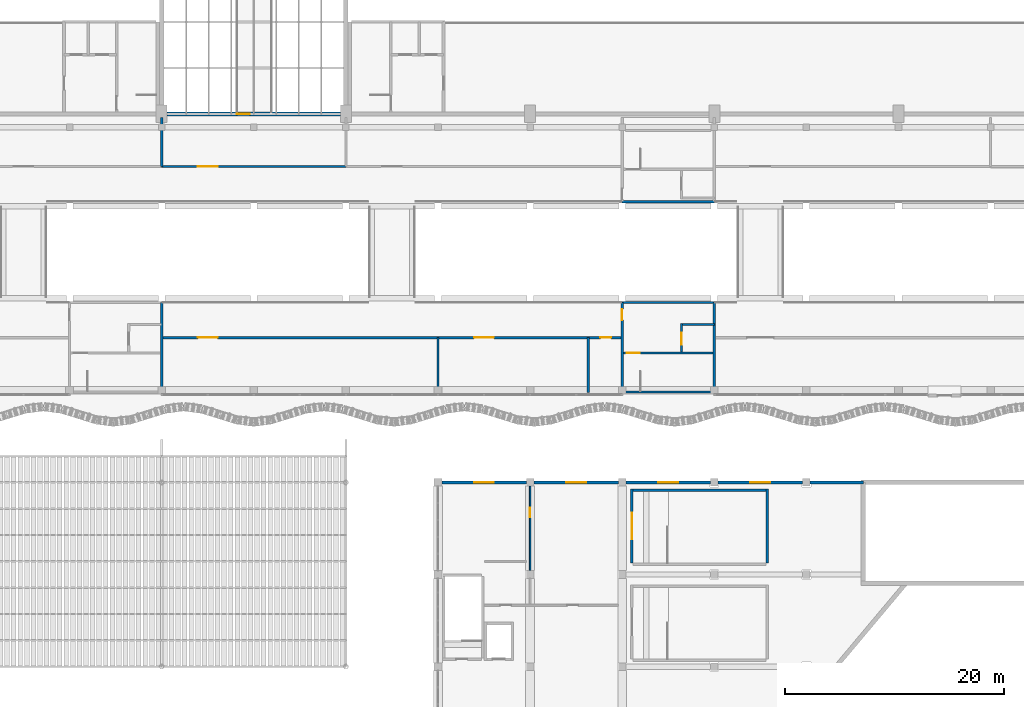
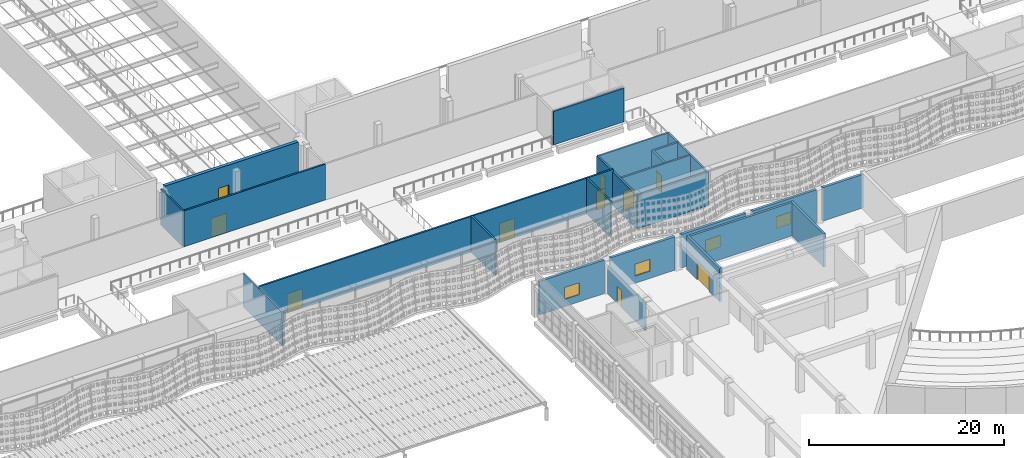
# One storey, part 87 of 162: 25 walls, 10 doors, 4 windows, 14 openings.
"""IFC4 building model written with IfcOpenShell, lengths in metres."""

from ifc_helpers import new_model, si_unit, direction, frame, frame_2d, origin, place, context, subcontext, project, spatial, rectangle, extrude, material, layer, layer_set, type_object, element, fill, save


model = new_model("IFC4")

# Units and contexts
model_context = context("Model", 3, precision=1e-05, world=origin(), true_north=direction((0.0, 1.0)))
body_context = subcontext(model_context, "Body", "Model", "MODEL_VIEW")
ifc_project = project(units=[si_unit("LENGTHUNIT", "METRE"), si_unit("AREAUNIT", "SQUARE_METRE"), si_unit("VOLUMEUNIT", "CUBIC_METRE"), si_unit("PLANEANGLEUNIT", "RADIAN"), si_unit("MASSUNIT", "GRAM", prefix="KILO")], contexts=[model_context])

# Site, building, storey
site_placement = place(None, origin())
site = spatial("IfcSite", under=ifc_project, at=site_placement, CompositionType="ELEMENT")
building_placement = place(site_placement, origin())
building = spatial("IfcBuilding", under=site, at=building_placement, Name="Rain Tree Exposition and Congress Centre", CompositionType="ELEMENT")
storey_placement = place(building_placement, frame((0.0, 0.0, 6.0)))
storey = spatial("IfcBuildingStorey", under=building, at=storey_placement, Name="L01", CompositionType="ELEMENT", Elevation=6.0)

# Wall
ifc_material_1 = material(Name="Hollow blockwork partition", Category="masonry")
ifc_layer_1 = layer(ifc_material_1, 0.199951171875)
ifc_layer_set_1 = layer_set([ifc_layer_1], Name="Hollow blockwork partition")
wall_type_1 = type_object("IfcWallType", Name="Concourse blockwork partition 200", PredefinedType="PARTITIONING", material=ifc_layer_set_1)
wall_1_placement = place(storey_placement, frame((151.199951171875, 75.39990234375, 0.0), z_axis=(0.0, 0.0, 1.0), x_axis=(0.0, 1.0, 0.0)))
element("IfcWall", 1, at=wall_1_placement, inside=storey, type_object=wall_type_1, Name="Concourse partition L01", PredefinedType="PARTITIONING", context=body_context, shape_type="SweptSolid", body=[
    extrude(rectangle(XDim=5.0, YDim=0.199951171875, at=frame_2d((2.5, 0.0))), origin(), (0.0, 0.0, 1.0), 4.5),
])

# Wall, opening, door
wall_2_placement = place(storey_placement, frame((126.0, 80.39990234375, 0.0), z_axis=(0.0, 0.0, 1.0), x_axis=(1.0, 0.0, 0.0)))
wall_2 = element("IfcWall", 2, at=wall_2_placement, inside=storey, type_object=wall_type_1, Name="Concourse room front L01", PredefinedType="PARTITIONING", context=body_context, shape_type="SweptSolid", body=[
    extrude(rectangle(XDim=25.199951171875, YDim=0.199951171875, at=frame_2d((12.60009765625, 0.0))), origin(), (0.0, 0.0, 1.0), 4.5),
])
opening_1_placement = place(wall_2_placement, frame((3.300048828125, 0.0, 0.0)))
opening_1 = element("IfcOpeningElement", 3, at=opening_1_placement, cuts=wall_2, Name="Opening DC051", PredefinedType="OPENING", context=body_context, shape_type="SweptSolid", body=[
    extrude(rectangle(XDim=1.800048828125, YDim=2.39990234375, at=frame_2d((0.89990234375, 1.199951171875))), frame((0.0, 0.10009765625, 0.0), z_axis=(0.0, -1.0, 0.0), x_axis=(1.0, 0.0, 0.0)), (0.0, 0.0, 1.0), 0.199951171875),
])
ifc_material_2 = material(Name="Aluminium framed glazed door", Category="aluminium")
door_type_1 = type_object("IfcDoorType", Name="Concourse double door 1800x2400", OperationType="DOUBLE_DOOR_DOUBLE_SWING", PredefinedType="DOOR", material=ifc_material_2)
door_1_placement = place(opening_1_placement, origin())
door_1 = element("IfcDoor", 4, at=door_1_placement, inside=storey, type_object=door_type_1, Name="Room door DC051", OperationType="DOUBLE_DOOR_DOUBLE_SWING", OverallHeight=2.39990234375, OverallWidth=1.800048828125, PredefinedType="DOOR", context=body_context, shape_type="SweptSolid", body=[
    extrude(rectangle(XDim=1.800048828125, YDim=2.39990234375, at=frame_2d((0.89990234375, 1.199951171875))), frame((0.0, 0.02490234375, 0.0), z_axis=(0.0, -1.0, 0.0), x_axis=(1.0, 0.0, 0.0)), (0.0, 0.0, 1.0), 0.050048828125),
])
fill(opening_1, door_1)

# Wall, openings, doors
wall_3_placement = place(storey_placement, frame((151.199951171875, 80.39990234375, 0.0), z_axis=(0.0, 0.0, 1.0), x_axis=(1.0, 0.0, 0.0)))
wall_3 = element("IfcWall", 5, at=wall_3_placement, inside=storey, type_object=wall_type_1, Name="Concourse room front L01", PredefinedType="PARTITIONING", context=body_context, shape_type="SweptSolid", body=[
    extrude(rectangle(XDim=16.800048828125, YDim=0.199951171875, at=frame_2d((8.39990234375, 0.0))), origin(), (0.0, 0.0, 1.0), 4.5),
])
opening_2_placement = place(wall_3_placement, frame((3.300048828125, 0.0, 0.0)))
opening_2 = element("IfcOpeningElement", 6, at=opening_2_placement, cuts=wall_3, Name="Opening DC052", PredefinedType="OPENING", context=body_context, shape_type="SweptSolid", body=[
    extrude(rectangle(XDim=1.800048828125, YDim=2.39990234375, at=frame_2d((0.89990234375, 1.199951171875))), frame((0.0, 0.10009765625, 0.0), z_axis=(0.0, -1.0, 0.0), x_axis=(1.0, 0.0, 0.0)), (0.0, 0.0, 1.0), 0.199951171875),
])
opening_3_placement = place(wall_3_placement, frame((14.800048828125, 0.0, 0.0)))
opening_3 = element("IfcOpeningElement", 7, at=opening_3_placement, cuts=wall_3, Name="Opening DC053", PredefinedType="OPENING", context=body_context, shape_type="SweptSolid", body=[
    extrude(rectangle(XDim=1.0, YDim=2.39990234375, at=frame_2d((0.5, 1.199951171875))), frame((0.0, 0.10009765625, 0.0), z_axis=(0.0, -1.0, 0.0), x_axis=(1.0, 0.0, 0.0)), (0.0, 0.0, 1.0), 0.199951171875),
])
door_2_placement = place(opening_2_placement, origin())
door_2 = element("IfcDoor", 8, at=door_2_placement, inside=storey, type_object=door_type_1, Name="Room door DC052", OperationType="DOUBLE_DOOR_DOUBLE_SWING", OverallHeight=2.39990234375, OverallWidth=1.800048828125, PredefinedType="DOOR", context=body_context, shape_type="SweptSolid", body=[
    extrude(rectangle(XDim=1.800048828125, YDim=2.39990234375, at=frame_2d((0.89990234375, 1.199951171875))), frame((0.0, 0.02490234375, 0.0), z_axis=(0.0, -1.0, 0.0), x_axis=(1.0, 0.0, 0.0)), (0.0, 0.0, 1.0), 0.050048828125),
])
fill(opening_2, door_2)
ifc_material_3 = material(Name="Aluminium framed glazed door", Category="aluminium")
door_type_2 = type_object("IfcDoorType", Name="Concourse single door 1000x2400", OperationType="NOTDEFINED", PredefinedType="DOOR", material=ifc_material_3)
door_3_placement = place(opening_3_placement, origin())
door_3 = element("IfcDoor", 9, at=door_3_placement, inside=storey, type_object=door_type_2, Name="Accessible WC door DC053", OperationType="SINGLE_SWING_LEFT", OverallHeight=2.39990234375, OverallWidth=1.0, PredefinedType="DOOR", context=body_context, shape_type="SweptSolid", body=[
    extrude(rectangle(XDim=1.0, YDim=2.39990234375, at=frame_2d((0.5, 1.199951171875))), frame((0.0, 0.02490234375, 0.0), z_axis=(0.0, -1.0, 0.0), x_axis=(1.0, 0.0, 0.0)), (0.0, 0.0, 1.0), 0.050048828125),
])
fill(opening_3, door_3)

# Walls
wall_4_placement = place(storey_placement, frame((164.89990234375, 75.39990234375, 0.0), z_axis=(0.0, 0.0, 1.0), x_axis=(0.0, 1.0, 0.0)))
element("IfcWall", 10, at=wall_4_placement, inside=storey, type_object=wall_type_1, Name="Accessible WC partition", PredefinedType="PARTITIONING", context=body_context, shape_type="SweptSolid", body=[
    extrude(rectangle(XDim=5.0, YDim=0.199951171875, at=frame_2d((2.5, 0.0))), origin(), (0.0, 0.0, 1.0), 4.5),
])
wall_5_placement = place(storey_placement, frame((126.0, 100.5, 0.0), z_axis=(0.0, 0.0, 1.0), x_axis=(0.0, -1.0, 0.0)))
element("IfcWall", 11, at=wall_5_placement, inside=storey, type_object=wall_type_1, Name="Concourse partition L01", PredefinedType="PARTITIONING", context=body_context, shape_type="SweptSolid", body=[
    extrude(rectangle(XDim=4.5, YDim=0.199951171875, at=frame_2d((2.25, 0.0))), origin(), (0.0, 0.0, 1.0), 4.5),
])

# Wall, opening, door
wall_6_placement = place(storey_placement, frame((126.0, 96.0, 0.0), z_axis=(0.0, 0.0, 1.0), x_axis=(1.0, 0.0, 0.0)))
wall_6 = element("IfcWall", 12, at=wall_6_placement, inside=storey, type_object=wall_type_1, Name="Concourse room front L01", PredefinedType="PARTITIONING", context=body_context, shape_type="SweptSolid", body=[
    extrude(rectangle(XDim=16.800048828125, YDim=0.199951171875, at=frame_2d((8.39990234375, 0.0))), origin(), (0.0, 0.0, 1.0), 4.5),
])
opening_4_placement = place(wall_6_placement, frame((3.300048828125, 0.0, 0.0)))
opening_4 = element("IfcOpeningElement", 13, at=opening_4_placement, cuts=wall_6, Name="Opening DC087", PredefinedType="OPENING", context=body_context, shape_type="SweptSolid", body=[
    extrude(rectangle(XDim=1.800048828125, YDim=2.39990234375, at=frame_2d((0.89990234375, 1.199951171875))), frame((0.0, 0.10009765625, 0.0), z_axis=(0.0, -1.0, 0.0), x_axis=(1.0, 0.0, 0.0)), (0.0, 0.0, 1.0), 0.199951171875),
])
door_4_placement = place(opening_4_placement, origin())
door_4 = element("IfcDoor", 14, at=door_4_placement, inside=storey, type_object=door_type_1, Name="Room door DC087", OperationType="DOUBLE_DOOR_DOUBLE_SWING", OverallHeight=2.39990234375, OverallWidth=1.800048828125, PredefinedType="DOOR", context=body_context, shape_type="SweptSolid", body=[
    extrude(rectangle(XDim=1.800048828125, YDim=2.39990234375, at=frame_2d((0.89990234375, 1.199951171875))), frame((0.0, 0.02490234375, 0.0), z_axis=(0.0, -1.0, 0.0), x_axis=(1.0, 0.0, 0.0)), (0.0, 0.0, 1.0), 0.050048828125),
])
fill(opening_4, door_4)

# Wall
ifc_material_4 = material(Name="Concrete C40/50", Category="concrete")
ifc_layer_2 = layer(ifc_material_4, 0.199951171875)
ifc_layer_set_2 = layer_set([ifc_layer_2], Name="Concrete C40/50")
wall_type_2 = type_object("IfcWallType", Name="Concourse shaft and core wall 200", PredefinedType="SOLIDWALL", material=ifc_layer_set_2)
wall_7_placement = place(storey_placement, frame((126.0, 75.39990234375, 0.0), z_axis=(0.0, 0.0, 1.0), x_axis=(0.0, 1.0, 0.0)))
element("IfcWall", 15, at=wall_7_placement, inside=storey, type_object=wall_type_2, Name="Concourse core wall L01", PredefinedType="SOLIDWALL", context=body_context, shape_type="SweptSolid", body=[
    extrude(rectangle(XDim=8.2001953125, YDim=0.199951171875, at=frame_2d((4.10009765625, 0.0))), origin(), (0.0, 0.0, 1.0), 4.199951171875),
])

# Wall, opening, door
wall_8_placement = place(storey_placement, frame((168.0, 75.39990234375, 0.0), z_axis=(0.0, 0.0, 1.0), x_axis=(0.0, 1.0, 0.0)))
wall_8 = element("IfcWall", 16, at=wall_8_placement, inside=storey, type_object=wall_type_2, Name="Concourse core wall L01", PredefinedType="SOLIDWALL", context=body_context, shape_type="SweptSolid", body=[
    extrude(rectangle(XDim=8.2001953125, YDim=0.199951171875, at=frame_2d((4.10009765625, 0.0))), origin(), (0.0, 0.0, 1.0), 4.199951171875),
])
opening_5_placement = place(wall_8_placement, frame((6.60009765625, 0.0, 0.0)))
opening_5 = element("IfcOpeningElement", 17, at=opening_5_placement, cuts=wall_8, Name="Opening DC041", PredefinedType="OPENING", context=body_context, shape_type="SweptSolid", body=[
    extrude(rectangle(XDim=1.0, YDim=2.39990234375, at=frame_2d((0.5, 1.199951171875))), frame((0.0, 0.10009765625, 0.0), z_axis=(0.0, -1.0, 0.0), x_axis=(1.0, 0.0, 0.0)), (0.0, 0.0, 1.0), 0.199951171875),
])
door_5_placement = place(opening_5_placement, origin())
door_5 = element("IfcDoor", 18, at=door_5_placement, inside=storey, type_object=door_type_2, Name="Stair lobby door DC041", OperationType="SINGLE_SWING_RIGHT", OverallHeight=2.39990234375, OverallWidth=1.0, PredefinedType="DOOR", context=body_context, shape_type="SweptSolid", body=[
    extrude(rectangle(XDim=1.0, YDim=2.39990234375, at=frame_2d((0.5, 1.199951171875))), frame((0.0, 0.02490234375, 0.0), z_axis=(0.0, -1.0, 0.0), x_axis=(1.0, 0.0, 0.0)), (0.0, 0.0, 1.0), 0.050048828125),
])
fill(opening_5, door_5)

# Walls
wall_9_placement = place(storey_placement, frame((176.39990234375, 75.39990234375, 0.0), z_axis=(0.0, 0.0, 1.0), x_axis=(0.0, 1.0, 0.0)))
element("IfcWall", 19, at=wall_9_placement, inside=storey, type_object=wall_type_2, Name="Concourse core wall L01", PredefinedType="SOLIDWALL", context=body_context, shape_type="SweptSolid", body=[
    extrude(rectangle(XDim=8.2001953125, YDim=0.199951171875, at=frame_2d((4.10009765625, 0.0))), origin(), (0.0, 0.0, 1.0), 4.199951171875),
])
for number, where, z_axis, x_axis, name in (
    (20, (168.0, 83.60009765625, 0.0), (0.0, 0.0, 1.0), (1.0, 0.0, 0.0), "Concourse lobby front L01"),
    (21, (168.0, 92.800048828125, 0.0), (0.0, 0.0, 1.0), (1.0, 0.0, 0.0), "Concourse lobby front L01"),
    (22, (168.0, 75.449951171875, 0.0), (0.0, 0.0, 1.0), (1.0, 0.0, 0.0), "Concourse stair wall L01"),
):
    element("IfcWall", number, at=place(storey_placement, frame(where, z_axis=z_axis, x_axis=x_axis)), inside=storey, type_object=wall_type_2, Name=name, PredefinedType="SOLIDWALL", context=body_context, shape_type="SweptSolid", body=[
        extrude(rectangle(XDim=8.39990234375, YDim=0.199951171875, at=frame_2d((4.199951171875, 0.0))), origin(), (0.0, 0.0, 1.0), 4.199951171875),
    ])

# Wall, opening, door
wall_10_placement = place(storey_placement, frame((168.0, 79.0, 0.0), z_axis=(0.0, 0.0, 1.0), x_axis=(1.0, 0.0, 0.0)))
wall_10 = element("IfcWall", 23, at=wall_10_placement, inside=storey, type_object=wall_type_2, Name="Concourse stair wall L01", PredefinedType="SOLIDWALL", context=body_context, shape_type="SweptSolid", body=[
    extrude(rectangle(XDim=8.39990234375, YDim=0.199951171875, at=frame_2d((4.199951171875, 0.0))), origin(), (0.0, 0.0, 1.0), 4.199951171875),
])
opening_6_placement = place(wall_10_placement, frame((0.39990234375, 0.0, 0.0)))
opening_6 = element("IfcOpeningElement", 24, at=opening_6_placement, cuts=wall_10, Name="Opening DC109", PredefinedType="OPENING", context=body_context, shape_type="SweptSolid", body=[
    extrude(rectangle(XDim=1.199951171875, YDim=2.39990234375, at=frame_2d((0.60009765625, 1.199951171875))), frame((0.0, 0.10009765625, 0.0), z_axis=(0.0, -1.0, 0.0), x_axis=(1.0, 0.0, 0.0)), (0.0, 0.0, 1.0), 0.199951171875),
])
ifc_material_5 = material(Name="Aluminium framed glazed door", Category="aluminium")
door_type_3 = type_object("IfcDoorType", Name="Concourse single door 1200x2400", OperationType="NOTDEFINED", PredefinedType="DOOR", material=ifc_material_5)
door_6_placement = place(opening_6_placement, origin())
door_6 = element("IfcDoor", 25, at=door_6_placement, inside=storey, type_object=door_type_3, Name="Stair door DC109", OperationType="SINGLE_SWING_LEFT", OverallHeight=2.39990234375, OverallWidth=1.199951171875, PredefinedType="DOOR", context=body_context, shape_type="SweptSolid", body=[
    extrude(rectangle(XDim=1.199951171875, YDim=2.39990234375, at=frame_2d((0.60009765625, 1.199951171875))), frame((0.0, 0.02490234375, 0.0), z_axis=(0.0, -1.0, 0.0), x_axis=(1.0, 0.0, 0.0)), (0.0, 0.0, 1.0), 0.050048828125),
])
fill(opening_6, door_6)

wall_11_placement = place(storey_placement, frame((173.39990234375, 79.10009765625, 0.0), z_axis=(0.0, 0.0, 1.0), x_axis=(0.0, 1.0, 0.0)))
wall_11 = element("IfcWall", 26, at=wall_11_placement, inside=storey, type_object=wall_type_2, Name="Concourse lift shaft wall L01", PredefinedType="SOLIDWALL", context=body_context, shape_type="SweptSolid", body=[
    extrude(rectangle(XDim=2.599853515625, YDim=0.199951171875, at=frame_2d((1.2998046875, 0.0))), origin(), (0.0, 0.0, 1.0), 4.199951171875),
])
opening_7_placement = place(wall_11_placement, frame((0.64990234375, 0.0, 0.0)))
opening_7 = element("IfcOpeningElement", 27, at=opening_7_placement, cuts=wall_11, Name="Opening DC111", PredefinedType="OPENING", context=body_context, shape_type="SweptSolid", body=[
    extrude(rectangle(XDim=1.10009765625, YDim=2.10009765625, at=frame_2d((0.550048828125, 1.050048828125))), frame((0.0, 0.10009765625, 0.0), z_axis=(0.0, -1.0, 0.0), x_axis=(1.0, 0.0, 0.0)), (0.0, 0.0, 1.0), 0.199951171875),
])
ifc_material_6 = material(Name="Stainless steel", Category="steel")
door_type_4 = type_object("IfcDoorType", Name="Lift landing door 1100x2100", OperationType="DOUBLE_DOOR_SLIDING", PredefinedType="DOOR", material=ifc_material_6)
door_7_placement = place(opening_7_placement, origin())
door_7 = element("IfcDoor", 28, at=door_7_placement, inside=storey, type_object=door_type_4, Name="Lift landing door DC111", OperationType="DOUBLE_DOOR_SLIDING", OverallHeight=2.10009765625, OverallWidth=1.10009765625, PredefinedType="DOOR", context=body_context, shape_type="SweptSolid", body=[
    extrude(rectangle(XDim=1.10009765625, YDim=2.10009765625, at=frame_2d((0.550048828125, 1.050048828125))), frame((0.0, 0.02490234375, 0.0), z_axis=(0.0, -1.0, 0.0), x_axis=(1.0, 0.0, 0.0)), (0.0, 0.0, 1.0), 0.050048828125),
])
fill(opening_7, door_7)

# Wall
wall_12_placement = place(storey_placement, frame((173.300048828125, 81.60009765625, 0.0), z_axis=(0.0, 0.0, 1.0), x_axis=(1.0, 0.0, 0.0)))
element("IfcWall", 29, at=wall_12_placement, inside=storey, type_object=wall_type_2, Name="Concourse lift shaft wall L01", PredefinedType="SOLIDWALL", context=body_context, shape_type="SweptSolid", body=[
    extrude(rectangle(XDim=3.099853515625, YDim=0.199951171875, at=frame_2d((1.5498046875, 0.0))), origin(), (0.0, 0.0, 1.0), 4.199951171875),
])

# Wall, opening, door
ifc_material_7 = material(Name="Concrete C40/50", Category="concrete")
ifc_layer_3 = layer(ifc_material_7, 0.25)
ifc_layer_set_3 = layer_set([ifc_layer_3], Name="Concrete C40/50")
wall_type_3 = type_object("IfcWallType", Name="Core wall 250", PredefinedType="SHEAR", material=ifc_layer_set_3)
wall_13_placement = place(storey_placement, frame((168.875, 59.85009765625, 0.0), z_axis=(0.0, 0.0, 1.0), x_axis=(0.0, 1.0, 0.0)))
wall_13 = element("IfcWall", 30, at=wall_13_placement, inside=storey, type_object=wall_type_3, Name="Stair ST-G4 near wall", PredefinedType="SHEAR", context=body_context, shape_type="SweptSolid", body=[
    extrude(rectangle(XDim=6.75, YDim=0.25, at=frame_2d((3.375, 0.0))), origin(), (0.0, 0.0, 1.0), 4.199951171875),
])
opening_8_placement = place(wall_13_placement, frame((2.175048828125, 0.0, 0.0)))
opening_8 = element("IfcOpeningElement", 31, at=opening_8_placement, cuts=wall_13, Name="Opening DG139", PredefinedType="OPENING", context=body_context, shape_type="SweptSolid", body=[
    extrude(rectangle(XDim=2.39990234375, YDim=2.10009765625, at=frame_2d((1.199951171875, 1.050048828125))), frame((0.0, 0.125, 0.0), z_axis=(0.0, -1.0, 0.0), x_axis=(1.0, 0.0, 0.0)), (0.0, 0.0, 1.0), 0.25),
])
ifc_material_8 = material(Name="Steel", Category="steel")
door_type_5 = type_object("IfcDoorType", Name="Fire door double 2400x2100 congress", OperationType="DOUBLE_DOOR_SINGLE_SWING", PredefinedType="DOOR", material=ifc_material_8)
door_8_placement = place(opening_8_placement, origin())
door_8 = element("IfcDoor", 32, at=door_8_placement, inside=storey, type_object=door_type_5, Name="DG139", OperationType="DOUBLE_DOOR_SINGLE_SWING", OverallHeight=2.10009765625, OverallWidth=2.39990234375, PredefinedType="DOOR", context=body_context, shape_type="SweptSolid", body=[
    extrude(rectangle(XDim=2.39990234375, YDim=2.10009765625, at=frame_2d((1.199951171875, 1.050048828125))), frame((0.0, 0.02490234375, 0.0), z_axis=(0.0, -1.0, 0.0), x_axis=(1.0, 0.0, 0.0)), (0.0, 0.0, 1.0), 0.050048828125),
])
fill(opening_8, door_8)

# Walls
wall_14_placement = place(storey_placement, frame((181.22509765625, 59.85009765625, 0.0), z_axis=(0.0, 0.0, 1.0), x_axis=(0.0, 1.0, 0.0)))
element("IfcWall", 33, at=wall_14_placement, inside=storey, type_object=wall_type_3, Name="Stair ST-G4 far wall", PredefinedType="SHEAR", context=body_context, shape_type="SweptSolid", body=[
    extrude(rectangle(XDim=6.75, YDim=0.25, at=frame_2d((3.375, 0.0))), origin(), (0.0, 0.0, 1.0), 4.199951171875),
])
wall_15_placement = place(storey_placement, frame((169.0, 66.47509765625, 0.0), z_axis=(0.0, 0.0, 1.0), x_axis=(1.0, 0.0, 0.0)))
element("IfcWall", 34, at=wall_15_placement, inside=storey, type_object=wall_type_3, Name="Stair ST-G4 outer wall", PredefinedType="SHEAR", context=body_context, shape_type="SweptSolid", body=[
    extrude(rectangle(XDim=12.10009765625, YDim=0.25, at=frame_2d((6.050048828125, 0.0))), origin(), (0.0, 0.0, 1.0), 4.199951171875),
])

# Wall, opening, window
ifc_material_9 = material(Name="Concrete C40/50", Category="concrete")
ifc_layer_4 = layer(ifc_material_9, 0.300048828125)
ifc_layer_set_4 = layer_set([ifc_layer_4], Name="Concrete C40/50")
wall_type_4 = type_object("IfcWallType", Name="Foyer screen wall 300", PredefinedType="STANDARD", material=ifc_layer_set_4)
wall_16_placement = place(storey_placement, frame((151.550048828125, 67.199951171875, 0.0), z_axis=(0.0, 0.0, 1.0), x_axis=(1.0, 0.0, 0.0)))
wall_16 = element("IfcWall", 35, at=wall_16_placement, inside=storey, type_object=wall_type_4, Name="Foyer north wall 1", PredefinedType="STANDARD", context=body_context, shape_type="SweptSolid", body=[
    extrude(rectangle(XDim=7.699951171875, YDim=0.300048828125, at=frame_2d((3.85009765625, 0.0))), origin(), (0.0, 0.0, 1.0), 4.199951171875),
])
opening_9_placement = place(wall_16_placement, frame((2.949951171875, 0.0, 0.89990234375)))
opening_9 = element("IfcOpeningElement", 36, at=opening_9_placement, cuts=wall_16, Name="Opening WG104", PredefinedType="OPENING", context=body_context, shape_type="SweptSolid", body=[
    extrude(rectangle(XDim=1.800048828125, YDim=1.5, at=frame_2d((0.89990234375, 0.75))), frame((0.0, 0.14990234375, 0.0), z_axis=(0.0, -1.0, 0.0), x_axis=(1.0, 0.0, 0.0)), (0.0, 0.0, 1.0), 0.300048828125),
])
ifc_material_10 = material(Name="Aluminium frame with double glazing", Category="aluminium")
window_type = type_object("IfcWindowType", Name="Window 1800x1500 congress", PartitioningType="SINGLE_PANEL", PredefinedType="WINDOW", material=ifc_material_10)
window_1_placement = place(opening_9_placement, origin())
window_1 = element("IfcWindow", 37, at=window_1_placement, inside=storey, type_object=window_type, Name="congress/window/L01/4", OverallHeight=1.5, OverallWidth=1.800048828125, PartitioningType="SINGLE_PANEL", PredefinedType="WINDOW", context=body_context, shape_type="SweptSolid", body=[
    extrude(rectangle(XDim=1.800048828125, YDim=1.5, at=frame_2d((0.89990234375, 0.75))), frame((0.0, 0.030029296875, 0.0), z_axis=(0.0, -1.0, 0.0), x_axis=(1.0, 0.0, 0.0)), (0.0, 0.0, 1.0), 0.06005859375),
])
fill(opening_9, window_1)

wall_17_placement = place(storey_placement, frame((159.949951171875, 67.199951171875, 0.0), z_axis=(0.0, 0.0, 1.0), x_axis=(1.0, 0.0, 0.0)))
wall_17 = element("IfcWall", 38, at=wall_17_placement, inside=storey, type_object=wall_type_4, Name="Foyer north wall 2", PredefinedType="STANDARD", context=body_context, shape_type="SweptSolid", body=[
    extrude(rectangle(XDim=7.699951171875, YDim=0.300048828125, at=frame_2d((3.85009765625, 0.0))), origin(), (0.0, 0.0, 1.0), 4.199951171875),
])
opening_10_placement = place(wall_17_placement, frame((2.949951171875, 0.0, 0.89990234375)))
opening_10 = element("IfcOpeningElement", 39, at=opening_10_placement, cuts=wall_17, Name="Opening WG105", PredefinedType="OPENING", context=body_context, shape_type="SweptSolid", body=[
    extrude(rectangle(XDim=1.800048828125, YDim=1.5, at=frame_2d((0.89990234375, 0.75))), frame((0.0, 0.14990234375, 0.0), z_axis=(0.0, -1.0, 0.0), x_axis=(1.0, 0.0, 0.0)), (0.0, 0.0, 1.0), 0.300048828125),
])
window_2_placement = place(opening_10_placement, origin())
window_2 = element("IfcWindow", 40, at=window_2_placement, inside=storey, type_object=window_type, Name="congress/window/L01/5", OverallHeight=1.5, OverallWidth=1.800048828125, PartitioningType="SINGLE_PANEL", PredefinedType="WINDOW", context=body_context, shape_type="SweptSolid", body=[
    extrude(rectangle(XDim=1.800048828125, YDim=1.5, at=frame_2d((0.89990234375, 0.75))), frame((0.0, 0.030029296875, 0.0), z_axis=(0.0, -1.0, 0.0), x_axis=(1.0, 0.0, 0.0)), (0.0, 0.0, 1.0), 0.06005859375),
])
fill(opening_10, window_2)

wall_18_placement = place(storey_placement, frame((168.35009765625, 67.199951171875, 0.0), z_axis=(0.0, 0.0, 1.0), x_axis=(1.0, 0.0, 0.0)))
wall_18 = element("IfcWall", 41, at=wall_18_placement, inside=storey, type_object=wall_type_4, Name="Foyer north wall 3", PredefinedType="STANDARD", context=body_context, shape_type="SweptSolid", body=[
    extrude(rectangle(XDim=7.699951171875, YDim=0.300048828125, at=frame_2d((3.85009765625, 0.0))), origin(), (0.0, 0.0, 1.0), 4.199951171875),
])
opening_11_placement = place(wall_18_placement, frame((2.949951171875, 0.0, 0.89990234375)))
opening_11 = element("IfcOpeningElement", 42, at=opening_11_placement, cuts=wall_18, Name="Opening WG106", PredefinedType="OPENING", context=body_context, shape_type="SweptSolid", body=[
    extrude(rectangle(XDim=1.800048828125, YDim=1.5, at=frame_2d((0.89990234375, 0.75))), frame((0.0, 0.14990234375, 0.0), z_axis=(0.0, -1.0, 0.0), x_axis=(1.0, 0.0, 0.0)), (0.0, 0.0, 1.0), 0.300048828125),
])
window_3_placement = place(opening_11_placement, origin())
window_3 = element("IfcWindow", 43, at=window_3_placement, inside=storey, type_object=window_type, Name="congress/window/L01/6", OverallHeight=1.5, OverallWidth=1.800048828125, PartitioningType="SINGLE_PANEL", PredefinedType="WINDOW", context=body_context, shape_type="SweptSolid", body=[
    extrude(rectangle(XDim=1.800048828125, YDim=1.5, at=frame_2d((0.89990234375, 0.75))), frame((0.0, 0.030029296875, 0.0), z_axis=(0.0, -1.0, 0.0), x_axis=(1.0, 0.0, 0.0)), (0.0, 0.0, 1.0), 0.06005859375),
])
fill(opening_11, window_3)

wall_19_placement = place(storey_placement, frame((176.75, 67.199951171875, 0.0), z_axis=(0.0, 0.0, 1.0), x_axis=(1.0, 0.0, 0.0)))
wall_19 = element("IfcWall", 44, at=wall_19_placement, inside=storey, type_object=wall_type_4, Name="Foyer north wall 4", PredefinedType="STANDARD", context=body_context, shape_type="SweptSolid", body=[
    extrude(rectangle(XDim=7.699951171875, YDim=0.300048828125, at=frame_2d((3.85009765625, 0.0))), origin(), (0.0, 0.0, 1.0), 4.199951171875),
])
opening_12_placement = place(wall_19_placement, frame((2.949951171875, 0.0, 0.89990234375)))
opening_12 = element("IfcOpeningElement", 45, at=opening_12_placement, cuts=wall_19, Name="Opening WG107", PredefinedType="OPENING", context=body_context, shape_type="SweptSolid", body=[
    extrude(rectangle(XDim=1.800048828125, YDim=1.5, at=frame_2d((0.89990234375, 0.75))), frame((0.0, 0.14990234375, 0.0), z_axis=(0.0, -1.0, 0.0), x_axis=(1.0, 0.0, 0.0)), (0.0, 0.0, 1.0), 0.300048828125),
])
window_4_placement = place(opening_12_placement, origin())
window_4 = element("IfcWindow", 46, at=window_4_placement, inside=storey, type_object=window_type, Name="congress/window/L01/7", OverallHeight=1.5, OverallWidth=1.800048828125, PartitioningType="SINGLE_PANEL", PredefinedType="WINDOW", context=body_context, shape_type="SweptSolid", body=[
    extrude(rectangle(XDim=1.800048828125, YDim=1.5, at=frame_2d((0.89990234375, 0.75))), frame((0.0, 0.030029296875, 0.0), z_axis=(0.0, -1.0, 0.0), x_axis=(1.0, 0.0, 0.0)), (0.0, 0.0, 1.0), 0.06005859375),
])
fill(opening_12, window_4)

# Wall
wall_20_placement = place(storey_placement, frame((185.14990234375, 67.199951171875, 0.0), z_axis=(0.0, 0.0, 1.0), x_axis=(1.0, 0.0, 0.0)))
element("IfcWall", 47, at=wall_20_placement, inside=storey, type_object=wall_type_4, Name="Lounge north wall end", PredefinedType="STANDARD", context=body_context, shape_type="SweptSolid", body=[
    extrude(rectangle(XDim=4.85009765625, YDim=0.300048828125, at=frame_2d((2.425048828125, 0.0))), origin(), (0.0, 0.0, 1.0), 4.199951171875),
])

# Wall, opening, door
ifc_material_11 = material(Name="Precast concrete C50/60", Category="concrete")
ifc_layer_5 = layer(ifc_material_11, 0.39990234375)
ifc_layer_set_5 = layer_set([ifc_layer_5], Name="Precast concrete C50/60")
wall_type_5 = type_object("IfcWallType", Name="Link end wall 400", PredefinedType="SHEAR", material=ifc_layer_set_5)
wall_21_placement = place(storey_placement, frame((126.5, 100.800048828125, -0.300048828125), z_axis=(0.0, 0.0, 1.0), x_axis=(1.0, 0.0, 0.0)))
wall_21 = element("IfcWall", 48, at=wall_21_placement, inside=storey, type_object=wall_type_5, Name="Link south wall", PredefinedType="SHEAR", context=body_context, shape_type="SweptSolid", body=[
    extrude(rectangle(XDim=15.800048828125, YDim=0.39990234375, at=frame_2d((7.89990234375, 0.0))), origin(), (0.0, 0.0, 1.0), 4.900146484375),
])
opening_13_placement = place(wall_21_placement, frame((6.35009765625, 0.0, 0.300048828125)))
opening_13 = element("IfcOpeningElement", 49, at=opening_13_placement, cuts=wall_21, Name="Opening DH177", PredefinedType="OPENING", context=body_context, shape_type="SweptSolid", body=[
    extrude(rectangle(XDim=1.199951171875, YDim=2.10009765625, at=frame_2d((0.60009765625, 1.050048828125))), frame((0.0, 0.199951171875, 0.0), z_axis=(0.0, -1.0, 0.0), x_axis=(1.0, 0.0, 0.0)), (0.0, 0.0, 1.0), 0.39990234375),
])
ifc_material_12 = material(Name="Painted steel door", Category="steel")
door_type_6 = type_object("IfcDoorType", Name="Single leaf door 1200x2100", OperationType="NOTDEFINED", PredefinedType="DOOR", material=ifc_material_12)
door_9_placement = place(opening_13_placement, origin())
door_9 = element("IfcDoor", 50, at=door_9_placement, inside=storey, type_object=door_type_6, Name="Door DH177", OperationType="SINGLE_SWING_LEFT", OverallHeight=2.10009765625, OverallWidth=1.199951171875, PredefinedType="DOOR", context=body_context, shape_type="SweptSolid", body=[
    extrude(rectangle(XDim=1.199951171875, YDim=2.10009765625, at=frame_2d((0.60009765625, 1.050048828125))), frame((0.0, 0.02490234375, 0.0), z_axis=(0.0, -1.0, 0.0), x_axis=(1.0, 0.0, 0.0)), (0.0, 0.0, 1.0), 0.050048828125),
])
fill(opening_13, door_9)

ifc_material_13 = material(Name="Concrete block C12", Category="concrete")
ifc_layer_6 = layer(ifc_material_13, 0.14990234375)
ifc_layer_set_6 = layer_set([ifc_layer_6], Name="Concrete block C12")
wall_type_6 = type_object("IfcWallType", Name="Partition wall 150 congress", PredefinedType="PARTITIONING", material=ifc_layer_set_6)
wall_22_placement = place(storey_placement, frame((159.60009765625, 59.14990234375, 0.0), z_axis=(0.0, 0.0, 1.0), x_axis=(0.0, 1.0, 0.0)))
wall_22 = element("IfcWall", 51, at=wall_22_placement, inside=storey, type_object=wall_type_6, Name="Store partition", PredefinedType="PARTITIONING", context=body_context, shape_type="SweptSolid", body=[
    extrude(rectangle(XDim=7.7001953125, YDim=0.14990234375, at=frame_2d((3.85009765625, 0.0))), origin(), (0.0, 0.0, 1.0), 3.550048828125),
])
opening_14_placement = place(wall_22_placement, frame((4.85009765625, 0.0, 0.0)))
opening_14 = element("IfcOpeningElement", 52, at=opening_14_placement, cuts=wall_22, Name="Opening DG146", PredefinedType="OPENING", context=body_context, shape_type="SweptSolid", body=[
    extrude(rectangle(XDim=0.89990234375, YDim=2.10009765625, at=frame_2d((0.449951171875, 1.050048828125))), frame((0.0, 0.074951171875, 0.0), z_axis=(0.0, -1.0, 0.0), x_axis=(1.0, 0.0, 0.0)), (0.0, 0.0, 1.0), 0.14990234375),
])
ifc_material_14 = material(Name="Timber with steel frame", Category="steel")
door_type_7 = type_object("IfcDoorType", Name="Single door 1000x2100 congress", OperationType="NOTDEFINED", PredefinedType="DOOR", material=ifc_material_14)
door_10_placement = place(opening_14_placement, origin())
door_10 = element("IfcDoor", 53, at=door_10_placement, inside=storey, type_object=door_type_7, Name="DG146", OperationType="SINGLE_SWING_LEFT", OverallHeight=2.10009765625, OverallWidth=0.89990234375, PredefinedType="DOOR", context=body_context, shape_type="SweptSolid", body=[
    extrude(rectangle(XDim=0.89990234375, YDim=2.10009765625, at=frame_2d((0.449951171875, 1.050048828125))), frame((0.0, 0.02490234375, 0.0), z_axis=(0.0, -1.0, 0.0), x_axis=(1.0, 0.0, 0.0)), (0.0, 0.0, 1.0), 0.050048828125),
])
fill(opening_14, door_10)

save(model, "model.ifc")
